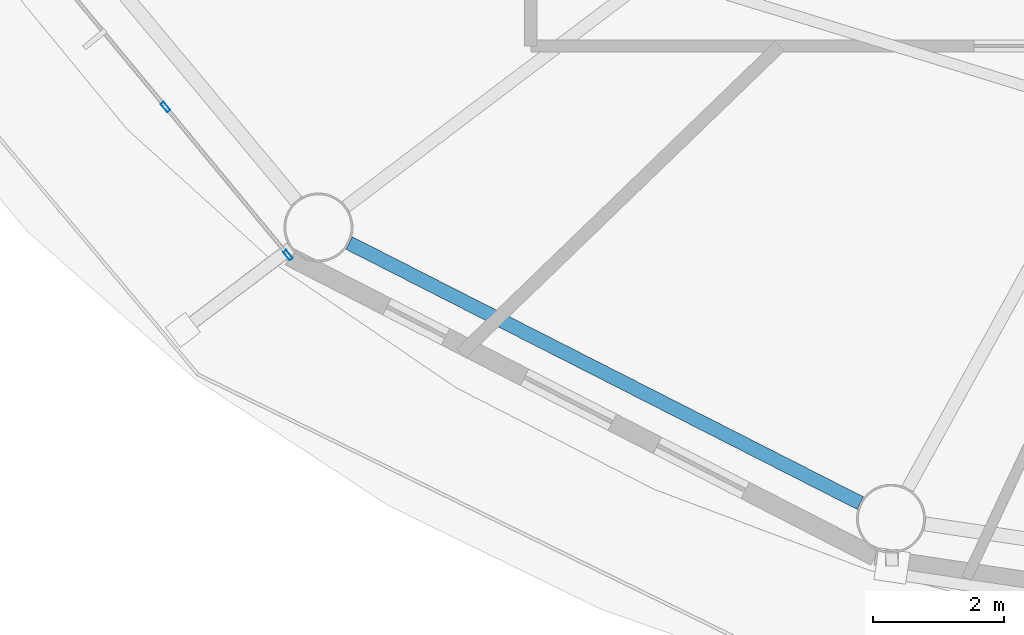
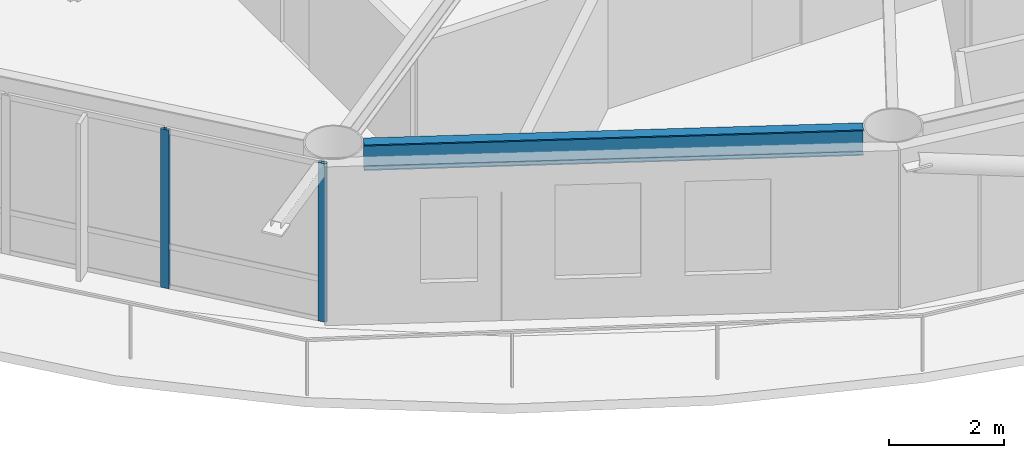
# One storey, part 2 of 27: 2 members, 1 beam, 1 element without a shape of its own.
"""IFC4 building model written with IfcOpenShell, lengths in metres."""

from ifc_helpers import new_model, si_unit, direction, frame, origin, origin_2d, place, context, subcontext, project, spatial, hollow_rectangle, i_section, extrude, material, layer, layer_set, material_profile, profile_set, type_object, element, aggregate, save


model = new_model("IFC4")

# Units and contexts
model_context = context("Model", 3, precision=1e-05, world=origin(), true_north=direction((0.0, 1.0)))
body_context = subcontext(model_context, "Body", "Model", "MODEL_VIEW")
ifc_project = project(units=[si_unit("LENGTHUNIT", "METRE"), si_unit("AREAUNIT", "SQUARE_METRE"), si_unit("VOLUMEUNIT", "CUBIC_METRE"), si_unit("PLANEANGLEUNIT", "RADIAN"), si_unit("MASSUNIT", "GRAM", prefix="KILO")], contexts=[model_context])

# Site, building, storey
site_placement = place(None, origin())
site = spatial("IfcSite", under=ifc_project, at=site_placement, CompositionType="ELEMENT")
building_placement = place(site_placement, origin())
building = spatial("IfcBuilding", under=site, at=building_placement, Name="Sarneth Arch Tower", CompositionType="ELEMENT")
storey_placement = place(building_placement, frame((0.0, 0.0, 157.800048828125)))
storey = spatial("IfcBuildingStorey", under=building, at=storey_placement, Name="L39", CompositionType="ELEMENT", Elevation=157.800048828125)

# Beam
ifc_material_1 = material(Name="Steel S355", Category="steel")
ifc_material_profile_1 = material_profile(ifc_material_1, i_section(OverallWidth=0.214111328125, OverallDepth=0.549072265625, WebThickness=0.0146484375, FlangeThickness=0.023681640625, FilletRadius=0.01806640625, at=origin_2d()), Name="W530x138")
ifc_profile_set_1 = profile_set([ifc_material_profile_1], Name="Steel S355")
beam_type = type_object("IfcBeamType", Name="BM-RAD-530A", PredefinedType="BEAM", material=ifc_profile_set_1)
beam_placement = place(storey_placement, frame((29.334228515625, 27.301513671875, 3.10546875), z_axis=(0.891254220899, -0.453504039374, 0.0), x_axis=(0.453504039374, 0.891254220899, 0.0)))
element("IfcBeam", 1, at=beam_placement, inside=storey, type_object=beam_type, Name="L39 Perimeter spandrel beam 11", PredefinedType="BEAM", context=body_context, shape_type="SweptSolid", body=[
    extrude(i_section(OverallWidth=0.214111328125, OverallDepth=0.549072265625, WebThickness=0.0146484375, FlangeThickness=0.023681640625, FilletRadius=0.01806640625, at=origin_2d()), origin(), (0.0, 0.0, 1.0), 8.724853515625),
])

# Curtain wall, members
ifc_material_2 = material(Name="Anodised aluminium Type AA25 and solar-control low-e laminated IGU", Category="aluminium")
ifc_layer = layer(ifc_material_2, 0.169921875)
ifc_layer_set = layer_set([ifc_layer], Name="Anodised aluminium Type AA25 and solar-control low-e laminated IGU")
curtain_wall_type = type_object("IfcCurtainWallType", Name="CW-RES-MID", PredefinedType="NOTDEFINED", material=ifc_layer_set)
curtain_wall_placement = place(storey_placement, origin())
curtain_wall = element("IfcCurtainWall", 2, at=curtain_wall_placement, inside=storey, type_object=curtain_wall_type, Name="L39 Unitised curtain wall facet 10", PredefinedType="NOTDEFINED")
ifc_material_3 = material(Name="Anodised Aluminium 6063-T6", Category="aluminium")
ifc_material_profile_2 = material_profile(ifc_material_3, hollow_rectangle(XDim=0.06005859375, YDim=0.159912109375, WallThickness=0.00390625, at=origin_2d()), Name="AL-MULL-160x60x4")
ifc_profile_set_2 = profile_set([ifc_material_profile_2], Name="Anodised Aluminium 6063-T6")
member_type = type_object("IfcMemberType", Name="CW-MULLION", PredefinedType="MULLION", material=ifc_profile_set_2)
member_1_placement = place(storey_placement, frame((26.53857421875, 29.373779296875, 0.0), z_axis=(0.0, 0.0, 1.0), x_axis=(0.770590741276, 0.637330298558, 0.0)))
member_1 = element("IfcMember", 3, at=member_1_placement, type_object=member_type, Name="CW-SYS-5 mullion 3", PredefinedType="MULLION", context=body_context, shape_type="SweptSolid", body=[
    extrude(hollow_rectangle(XDim=0.06005859375, YDim=0.159912109375, WallThickness=0.00390625, at=origin_2d()), origin(), (0.0, 0.0, 1.0), 3.3798828125),
])
member_2_placement = place(storey_placement, frame((28.40478515625, 27.1171875, 0.0), z_axis=(0.0, 0.0, 1.0), x_axis=(0.770590741276, 0.637330298558, 0.0)))
member_2 = element("IfcMember", 4, at=member_2_placement, type_object=member_type, Name="CW-SYS-5 mullion 4", PredefinedType="MULLION", context=body_context, shape_type="SweptSolid", body=[
    extrude(hollow_rectangle(XDim=0.06005859375, YDim=0.159912109375, WallThickness=0.00390625, at=origin_2d()), origin(), (0.0, 0.0, 1.0), 3.3798828125),
])
aggregate(curtain_wall, [member_1, member_2])

save(model, "model.ifc")
